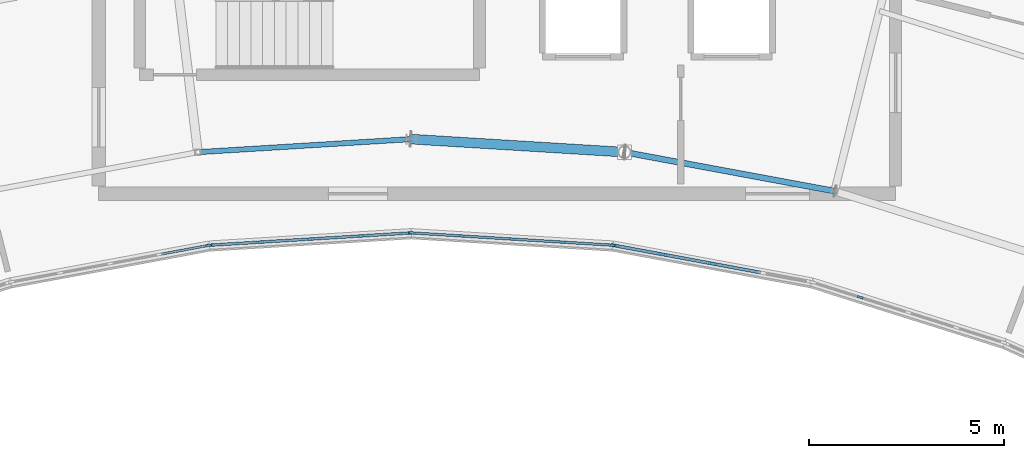
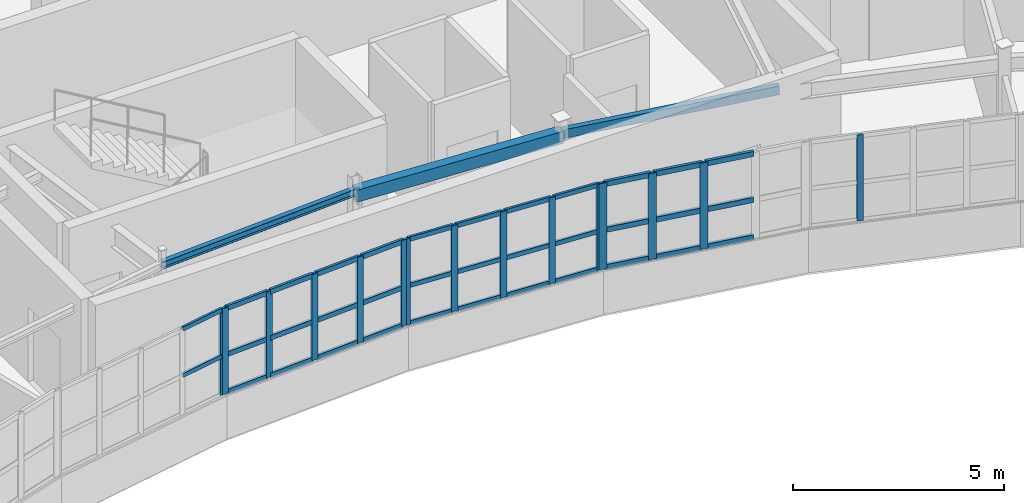
# One storey, part 37 of 79: 50 members, 3 beams, 5 elements without a shape of their own.
"""IFC4 building model written with IfcOpenShell, lengths in metres."""

from ifc_helpers import new_model, si_unit, direction, frame, origin, origin_2d, place, context, subcontext, project, spatial, rectangle, hollow_rectangle, i_section, extrude, material, layer, layer_set, material_profile, profile_set, type_object, element, aggregate, save


model = new_model("IFC4")

# Units and contexts
model_context = context("Model", 3, precision=1e-05, world=origin(), true_north=direction((0.0, 1.0)))
body_context = subcontext(model_context, "Body", "Model", "MODEL_VIEW")
ifc_project = project(units=[si_unit("LENGTHUNIT", "METRE"), si_unit("AREAUNIT", "SQUARE_METRE"), si_unit("VOLUMEUNIT", "CUBIC_METRE"), si_unit("PLANEANGLEUNIT", "RADIAN"), si_unit("MASSUNIT", "GRAM", prefix="KILO")], contexts=[model_context])

# Site, building, storey
site_placement = place(None, origin())
site = spatial("IfcSite", under=ifc_project, at=site_placement, CompositionType="ELEMENT")
building_placement = place(site_placement, origin())
building = spatial("IfcBuilding", under=site, at=building_placement, Name="Tarnwether General Hospital", CompositionType="ELEMENT")
storey_placement = place(building_placement, frame((0.0, 0.0, 18.300048828125)))
storey = spatial("IfcBuildingStorey", under=building, at=storey_placement, Name="L04", CompositionType="ELEMENT", Elevation=18.300048828125)

# Beams
ifc_material_1 = material(Name="Steel Grade 350 (350 MPa)", Category="steel")
ifc_material_profile_1 = material_profile(ifc_material_1, i_section(OverallWidth=0.133056640625, OverallDepth=0.201904296875, WebThickness=0.0048828125, FlangeThickness=0.007080078125, at=origin_2d()), Name="200UB22.3")
ifc_profile_set_1 = profile_set([ifc_material_profile_1], Name="Steel Grade 350 (350 MPa)")
beam_type_1 = type_object("IfcBeamType", Name="BM-SP6", PredefinedType="SPANDREL", material=ifc_profile_set_1)
beam_1_placement = place(storey_placement, frame((86.5400390625, 107.466064453125, 3.458984375), z_axis=(0.998134365538, 0.061055616708, 0.0), x_axis=(-0.061055616708, 0.998134365538, 0.0)))
element("IfcBeam", 1, at=beam_1_placement, inside=storey, type_object=beam_type_1, Name="Curved Ward NW Inner Spandrel BMG-L04-8654_10747-9200_10780-1968", PredefinedType="SPANDREL", context=body_context, shape_type="SweptSolid", body=[
    extrude(i_section(OverallWidth=0.133056640625, OverallDepth=0.201904296875, WebThickness=0.0048828125, FlangeThickness=0.007080078125, at=origin_2d()), origin(), (0.0, 0.0, 1.0), 5.47021484375),
])
ifc_material_2 = material(Name="Steel Grade C350L0 (350 MPa)", Category="steel")
ifc_material_profile_2 = material_profile(ifc_material_2, hollow_rectangle(XDim=0.25, YDim=0.35009765625, WallThickness=0.012451171875, at=origin_2d()), Name="RHS350x250x12.5")
ifc_profile_set_2 = profile_set([ifc_material_profile_2], Name="Steel Grade C350L0 (350 MPa)")
beam_type_2 = type_object("IfcBeamType", Name="BM-SP7", PredefinedType="SPANDREL", material=ifc_profile_set_2)
beam_2_placement = place(storey_placement, frame((92.0, 107.800048828125, 3.385009765625), z_axis=(0.998134365538, -0.061055616708, 0.0), x_axis=(0.061055616708, 0.998134365538, 0.0)))
element("IfcBeam", 2, at=beam_2_placement, inside=storey, type_object=beam_type_2, Name="Curved Ward NW Inner Spandrel BMG-L04-9200_10780-9746_10747-1970", PredefinedType="SPANDREL", context=body_context, shape_type="SweptSolid", body=[
    extrude(hollow_rectangle(XDim=0.25, YDim=0.35009765625, WallThickness=0.012451171875, at=origin_2d()), origin(), (0.0, 0.0, 1.0), 5.47021484375),
])
ifc_material_3 = material(Name="Steel Grade C350L0 (350 MPa)", Category="steel")
ifc_material_profile_3 = material_profile(ifc_material_3, hollow_rectangle(XDim=0.14990234375, YDim=0.25, WallThickness=0.008056640625, at=origin_2d()), Name="RHS250x150x8")
ifc_profile_set_3 = profile_set([ifc_material_profile_3], Name="Steel Grade C350L0 (350 MPa)")
beam_type_3 = type_object("IfcBeamType", Name="BM-SP8", PredefinedType="SPANDREL", material=ifc_profile_set_3)
beam_3_placement = place(storey_placement, frame((97.4599609375, 107.466064453125, 3.43505859375), z_axis=(0.983244096291, -0.18229384825, 0.0), x_axis=(0.18229384825, 0.983244096291, 0.0)))
element("IfcBeam", 3, at=beam_3_placement, inside=storey, type_object=beam_type_3, Name="Curved Ward NW Inner Spandrel BMG-L04-9746_10747-10284_10647-1972", PredefinedType="SPANDREL", context=body_context, shape_type="SweptSolid", body=[
    extrude(hollow_rectangle(XDim=0.14990234375, YDim=0.25, WallThickness=0.008056640625, at=origin_2d()), origin(), (0.0, 0.0, 1.0), 5.469482421875),
])

# Curtain wall, member
ifc_material_4 = material(Name="Anodised aluminium", Category="aluminium")
ifc_layer = layer(ifc_material_4, 0.159912109375)
ifc_layer_set = layer_set([ifc_layer], Name="Anodised aluminium")
curtain_wall_type = type_object("IfcCurtainWallType", Name="CW-04", PredefinedType="NOTDEFINED", material=ifc_layer_set)
curtain_wall_1_placement = place(storey_placement, origin())
curtain_wall_1 = element("IfcCurtainWall", 4, at=curtain_wall_1_placement, inside=storey, type_object=curtain_wall_type, Name="Curtain Wall CWG-L04-868_1051-0041", PredefinedType="NOTDEFINED")
ifc_material_5 = material(Name="Anodised aluminium", Category="aluminium")
ifc_material_profile_4 = material_profile(ifc_material_5, rectangle(XDim=0.06005859375, YDim=0.159912109375, at=origin_2d()), Name="ALU-MUL-60x160")
ifc_profile_set_4 = profile_set([ifc_material_profile_4], Name="Anodised aluminium")
member_type_1 = type_object("IfcMemberType", Name="CW-ML1", PredefinedType="MULLION", material=ifc_profile_set_4)
member_1_placement = place(storey_placement, frame((86.803466796875, 105.07861328125, 1.050048828125), z_axis=(0.0, 0.0, 1.0), x_axis=(0.182165351666, -0.983267910924, 0.0)))
member_1 = element("IfcMember", 5, at=member_1_placement, type_object=member_type_1, Name="CW-04 mullion 1", PredefinedType="MULLION", context=body_context, shape_type="SweptSolid", body=[
    extrude(rectangle(XDim=0.06005859375, YDim=0.159912109375, at=origin_2d()), origin(), (0.0, 0.0, 1.0), 2.489990234375),
])

curtain_wall_2_placement = place(storey_placement, origin())
curtain_wall_2 = element("IfcCurtainWall", 6, at=curtain_wall_2_placement, inside=storey, type_object=curtain_wall_type, Name="Curtain Wall CWG-L04-1072_1026-0045", PredefinedType="NOTDEFINED")
member_2_placement = place(storey_placement, frame((103.491455078125, 103.751708984375, 1.050048828125), z_axis=(0.0, 0.0, 1.0), x_axis=(-0.30071538783, -0.953713927508, 0.0)))
member_2 = element("IfcMember", 7, at=member_2_placement, type_object=member_type_1, Name="CW-04 mullion 4", PredefinedType="MULLION", context=body_context, shape_type="SweptSolid", body=[
    extrude(rectangle(XDim=0.06005859375, YDim=0.159912109375, at=origin_2d()), origin(), (0.0, 0.0, 1.0), 2.489990234375),
])
aggregate(curtain_wall_2, [member_2])

# Curtain wall, members
curtain_wall_3_placement = place(storey_placement, origin())
curtain_wall_3 = element("IfcCurtainWall", 8, at=curtain_wall_3_placement, inside=storey, type_object=curtain_wall_type, Name="Curtain Wall CWG-L04-920_1054-0042", PredefinedType="NOTDEFINED")
ifc_material_6 = material(Name="Anodised aluminium", Category="aluminium")
ifc_material_profile_5 = material_profile(ifc_material_6, rectangle(XDim=0.070068359375, YDim=0.179931640625, at=origin_2d()), Name="ALU-MUL-70x180")
ifc_profile_set_5 = profile_set([ifc_material_profile_5], Name="Anodised aluminium")
member_type_2 = type_object("IfcMemberType", Name="CW-ML2", PredefinedType="MULLION", material=ifc_profile_set_5)
member_3_placement = place(storey_placement, frame((91.965087890625, 105.39794921875, 1.050048828125), z_axis=(0.0, 0.0, 1.0), x_axis=(0.06104329354, -0.998135119267, 0.0)))
member_3 = element("IfcMember", 9, at=member_3_placement, type_object=member_type_2, Name="CW-04 mullion 1", PredefinedType="MULLION", context=body_context, shape_type="SweptSolid", body=[
    extrude(rectangle(XDim=0.070068359375, YDim=0.179931640625, at=origin_2d()), origin(), (0.0, 0.0, 1.0), 2.489990234375),
])
member_4_placement = place(storey_placement, frame((90.708251953125, 105.321044921875, 1.050048828125), z_axis=(0.0, 0.0, 1.0), x_axis=(0.06104329354, -0.998135119267, 0.0)))
member_4 = element("IfcMember", 10, at=member_4_placement, type_object=member_type_2, Name="CW-04 mullion 2", PredefinedType="MULLION", context=body_context, shape_type="SweptSolid", body=[
    extrude(rectangle(XDim=0.070068359375, YDim=0.179931640625, at=origin_2d()), origin(), (0.0, 0.0, 1.0), 2.489990234375),
])
member_5_placement = place(storey_placement, frame((89.41650390625, 105.241943359375, 1.050048828125), z_axis=(0.0, 0.0, 1.0), x_axis=(0.06104329354, -0.998135119267, 0.0)))
member_5 = element("IfcMember", 11, at=member_5_placement, type_object=member_type_2, Name="CW-04 mullion 3", PredefinedType="MULLION", context=body_context, shape_type="SweptSolid", body=[
    extrude(rectangle(XDim=0.070068359375, YDim=0.179931640625, at=origin_2d()), origin(), (0.0, 0.0, 1.0), 2.489990234375),
])
member_6_placement = place(storey_placement, frame((88.124755859375, 105.1630859375, 1.050048828125), z_axis=(0.0, 0.0, 1.0), x_axis=(0.06104329354, -0.998135119267, 0.0)))
member_6 = element("IfcMember", 12, at=member_6_placement, type_object=member_type_2, Name="CW-04 mullion 4", PredefinedType="MULLION", context=body_context, shape_type="SweptSolid", body=[
    extrude(rectangle(XDim=0.070068359375, YDim=0.179931640625, at=origin_2d()), origin(), (0.0, 0.0, 1.0), 2.489990234375),
])
member_7_placement = place(storey_placement, frame((86.867919921875, 105.086181640625, 1.050048828125), z_axis=(0.0, 0.0, 1.0), x_axis=(0.06104329354, -0.998135119267, 0.0)))
member_7 = element("IfcMember", 13, at=member_7_placement, type_object=member_type_2, Name="CW-04 mullion 5", PredefinedType="MULLION", context=body_context, shape_type="SweptSolid", body=[
    extrude(rectangle(XDim=0.070068359375, YDim=0.179931640625, at=origin_2d()), origin(), (0.0, 0.0, 1.0), 2.489990234375),
])

curtain_wall_4_placement = place(storey_placement, origin())
curtain_wall_4 = element("IfcCurtainWall", 14, at=curtain_wall_4_placement, inside=storey, type_object=curtain_wall_type, Name="Curtain Wall CWG-L04-972_1051-0043", PredefinedType="NOTDEFINED")
ifc_material_7 = material(Name="Anodised aluminium", Category="aluminium")
ifc_material_profile_6 = material_profile(ifc_material_7, rectangle(XDim=0.06494140625, YDim=0.169921875, at=origin_2d()), Name="ALU-MUL-65x170")
ifc_profile_set_6 = profile_set([ifc_material_profile_6], Name="Anodised aluminium")
member_type_3 = type_object("IfcMemberType", Name="CW-ML3", PredefinedType="MULLION", material=ifc_profile_set_6)
member_8_placement = place(storey_placement, frame((97.134521484375, 105.0859375, 1.050048828125), z_axis=(0.0, 0.0, 1.0), x_axis=(-0.06104329354, -0.998135119267, 0.0)))
member_8 = element("IfcMember", 15, at=member_8_placement, type_object=member_type_3, Name="CW-04 mullion 1", PredefinedType="MULLION", context=body_context, shape_type="SweptSolid", body=[
    extrude(rectangle(XDim=0.06494140625, YDim=0.169921875, at=origin_2d()), origin(), (0.0, 0.0, 1.0), 2.489990234375),
])
member_9_placement = place(storey_placement, frame((95.875244140625, 105.1630859375, 1.050048828125), z_axis=(0.0, 0.0, 1.0), x_axis=(-0.06104329354, -0.998135119267, 0.0)))
member_9 = element("IfcMember", 16, at=member_9_placement, type_object=member_type_3, Name="CW-04 mullion 2", PredefinedType="MULLION", context=body_context, shape_type="SweptSolid", body=[
    extrude(rectangle(XDim=0.06494140625, YDim=0.169921875, at=origin_2d()), origin(), (0.0, 0.0, 1.0), 2.489990234375),
])
member_10_placement = place(storey_placement, frame((94.58349609375, 105.241943359375, 1.050048828125), z_axis=(0.0, 0.0, 1.0), x_axis=(-0.06104329354, -0.998135119267, 0.0)))
member_10 = element("IfcMember", 17, at=member_10_placement, type_object=member_type_3, Name="CW-04 mullion 3", PredefinedType="MULLION", context=body_context, shape_type="SweptSolid", body=[
    extrude(rectangle(XDim=0.06494140625, YDim=0.169921875, at=origin_2d()), origin(), (0.0, 0.0, 1.0), 2.489990234375),
])
member_11_placement = place(storey_placement, frame((93.291748046875, 105.321044921875, 1.050048828125), z_axis=(0.0, 0.0, 1.0), x_axis=(-0.06104329354, -0.998135119267, 0.0)))
member_11 = element("IfcMember", 18, at=member_11_placement, type_object=member_type_3, Name="CW-04 mullion 4", PredefinedType="MULLION", context=body_context, shape_type="SweptSolid", body=[
    extrude(rectangle(XDim=0.06494140625, YDim=0.169921875, at=origin_2d()), origin(), (0.0, 0.0, 1.0), 2.489990234375),
])
member_12_placement = place(storey_placement, frame((92.032470703125, 105.39794921875, 1.050048828125), z_axis=(0.0, 0.0, 1.0), x_axis=(-0.06104329354, -0.998135119267, 0.0)))
member_12 = element("IfcMember", 19, at=member_12_placement, type_object=member_type_3, Name="CW-04 mullion 5", PredefinedType="MULLION", context=body_context, shape_type="SweptSolid", body=[
    extrude(rectangle(XDim=0.06494140625, YDim=0.169921875, at=origin_2d()), origin(), (0.0, 0.0, 1.0), 2.489990234375),
])

curtain_wall_5_placement = place(storey_placement, origin())
curtain_wall_5 = element("IfcCurtainWall", 20, at=curtain_wall_5_placement, inside=storey, type_object=curtain_wall_type, Name="Curtain Wall CWG-L04-1023_1041-0044", PredefinedType="NOTDEFINED")
ifc_material_8 = material(Name="Anodised aluminium", Category="aluminium")
ifc_material_profile_7 = material_profile(ifc_material_8, rectangle(XDim=0.080078125, YDim=0.199951171875, at=origin_2d()), Name="ALU-MUL-80x200")
ifc_profile_set_7 = profile_set([ifc_material_profile_7], Name="Anodised aluminium")
member_type_4 = type_object("IfcMemberType", Name="CW-ML4", PredefinedType="MULLION", material=ifc_profile_set_7)
member_13_placement = place(storey_placement, frame((99.7119140625, 104.612548828125, 1.050048828125), z_axis=(0.0, 0.0, 1.0), x_axis=(-0.182165351666, -0.983267910924, 0.0)))
member_13 = element("IfcMember", 21, at=member_13_placement, type_object=member_type_4, Name="CW-04 mullion 3", PredefinedType="MULLION", context=body_context, shape_type="SweptSolid", body=[
    extrude(rectangle(XDim=0.080078125, YDim=0.199951171875, at=origin_2d()), origin(), (0.0, 0.0, 1.0), 2.489990234375),
])
member_14_placement = place(storey_placement, frame((98.439453125, 104.84814453125, 1.050048828125), z_axis=(0.0, 0.0, 1.0), x_axis=(-0.182165351666, -0.983267910924, 0.0)))
member_14 = element("IfcMember", 22, at=member_14_placement, type_object=member_type_4, Name="CW-04 mullion 4", PredefinedType="MULLION", context=body_context, shape_type="SweptSolid", body=[
    extrude(rectangle(XDim=0.080078125, YDim=0.199951171875, at=origin_2d()), origin(), (0.0, 0.0, 1.0), 2.489990234375),
])
member_15_placement = place(storey_placement, frame((97.206298828125, 105.07666015625, 1.050048828125), z_axis=(0.0, 0.0, 1.0), x_axis=(-0.182165351666, -0.983267910924, 0.0)))
member_15 = element("IfcMember", 23, at=member_15_placement, type_object=member_type_4, Name="CW-04 mullion 5", PredefinedType="MULLION", context=body_context, shape_type="SweptSolid", body=[
    extrude(rectangle(XDim=0.080078125, YDim=0.199951171875, at=origin_2d()), origin(), (0.0, 0.0, 1.0), 2.489990234375),
])

# Member
ifc_material_9 = material(Name="Anodised aluminium", Category="aluminium")
ifc_material_profile_8 = material_profile(ifc_material_9, rectangle(XDim=0.06005859375, YDim=0.1201171875, at=origin_2d()), Name="ALU-TRN-60x120")
ifc_profile_set_8 = profile_set([ifc_material_profile_8], Name="Anodised aluminium")
member_type_5 = type_object("IfcMemberType", Name="CW-TR1", PredefinedType="USERDEFINED", material=ifc_profile_set_8)
member_16_placement = place(storey_placement, frame((86.77392578125, 105.072998046875, 2.17041015625), z_axis=(-0.983280660262, -0.182096521533, 0.0), x_axis=(0.182096521533, -0.983280660262, 0.0)))
member_16 = element("IfcMember", 24, at=member_16_placement, type_object=member_type_5, Name="CW-04 transom 1.2", ObjectType="TRANSOM", PredefinedType="USERDEFINED", context=body_context, shape_type="SweptSolid", body=[
    extrude(rectangle(XDim=0.06005859375, YDim=0.1201171875, at=origin_2d()), origin(), (0.0, 0.0, 1.0), 1.203857421875),
])

member_17_placement = place(storey_placement, frame((86.77392578125, 105.072998046875, 3.510009765625), z_axis=(-0.983280660262, -0.182096521533, 0.0), x_axis=(0.182096521533, -0.983280660262, 0.0)))
member_17 = element("IfcMember", 25, at=member_17_placement, type_object=member_type_5, Name="CW-04 transom 1.3", ObjectType="TRANSOM", PredefinedType="USERDEFINED", context=body_context, shape_type="SweptSolid", body=[
    extrude(rectangle(XDim=0.06005859375, YDim=0.1201171875, at=origin_2d()), origin(), (0.0, 0.0, 1.0), 1.203857421875),
])

aggregate(curtain_wall_1, [member_1, member_16, member_17])

ifc_material_10 = material(Name="Anodised aluminium", Category="aluminium")
ifc_material_profile_9 = material_profile(ifc_material_10, rectangle(XDim=0.070068359375, YDim=0.139892578125, at=origin_2d()), Name="ALU-TRN-70x140")
ifc_profile_set_9 = profile_set([ifc_material_profile_9], Name="Anodised aluminium")
member_type_6 = type_object("IfcMemberType", Name="CW-TR2", PredefinedType="USERDEFINED", material=ifc_profile_set_9)
member_18_placement = place(storey_placement, frame((91.93017578125, 105.395751953125, 1.0849609375), z_axis=(-0.9981394573, -0.06097231979, 0.0), x_axis=(0.06097231979, -0.9981394573, 0.0)))
member_18 = element("IfcMember", 26, at=member_18_placement, type_object=member_type_6, Name="CW-04 transom 1.1", ObjectType="TRANSOM", PredefinedType="USERDEFINED", context=body_context, shape_type="SweptSolid", body=[
    extrude(rectangle(XDim=0.070068359375, YDim=0.139892578125, at=origin_2d()), origin(), (0.0, 0.0, 1.0), 1.189208984375),
])

member_19_placement = place(storey_placement, frame((91.93017578125, 105.395751953125, 2.17041015625), z_axis=(-0.9981394573, -0.06097231979, 0.0), x_axis=(0.06097231979, -0.9981394573, 0.0)))
member_19 = element("IfcMember", 27, at=member_19_placement, type_object=member_type_6, Name="CW-04 transom 1.2", ObjectType="TRANSOM", PredefinedType="USERDEFINED", context=body_context, shape_type="SweptSolid", body=[
    extrude(rectangle(XDim=0.070068359375, YDim=0.139892578125, at=origin_2d()), origin(), (0.0, 0.0, 1.0), 1.189208984375),
])

member_20_placement = place(storey_placement, frame((91.93017578125, 105.395751953125, 3.5048828125), z_axis=(-0.9981394573, -0.06097231979, 0.0), x_axis=(0.06097231979, -0.9981394573, 0.0)))
member_20 = element("IfcMember", 28, at=member_20_placement, type_object=member_type_6, Name="CW-04 transom 1.3", ObjectType="TRANSOM", PredefinedType="USERDEFINED", context=body_context, shape_type="SweptSolid", body=[
    extrude(rectangle(XDim=0.070068359375, YDim=0.139892578125, at=origin_2d()), origin(), (0.0, 0.0, 1.0), 1.189208984375),
])

member_21_placement = place(storey_placement, frame((90.67333984375, 105.31884765625, 1.0849609375), z_axis=(-0.998136243192, -0.06102491317, 0.0), x_axis=(0.06102491317, -0.998136243192, 0.0)))
member_21 = element("IfcMember", 29, at=member_21_placement, type_object=member_type_6, Name="CW-04 transom 2.1", ObjectType="TRANSOM", PredefinedType="USERDEFINED", context=body_context, shape_type="SweptSolid", body=[
    extrude(rectangle(XDim=0.070068359375, YDim=0.139892578125, at=origin_2d()), origin(), (0.0, 0.0, 1.0), 1.22412109375),
])

member_22_placement = place(storey_placement, frame((90.67333984375, 105.31884765625, 2.17041015625), z_axis=(-0.998136243192, -0.06102491317, 0.0), x_axis=(0.06102491317, -0.998136243192, 0.0)))
member_22 = element("IfcMember", 30, at=member_22_placement, type_object=member_type_6, Name="CW-04 transom 2.2", ObjectType="TRANSOM", PredefinedType="USERDEFINED", context=body_context, shape_type="SweptSolid", body=[
    extrude(rectangle(XDim=0.070068359375, YDim=0.139892578125, at=origin_2d()), origin(), (0.0, 0.0, 1.0), 1.22412109375),
])

member_23_placement = place(storey_placement, frame((90.67333984375, 105.31884765625, 3.5048828125), z_axis=(-0.998136243192, -0.06102491317, 0.0), x_axis=(0.06102491317, -0.998136243192, 0.0)))
member_23 = element("IfcMember", 31, at=member_23_placement, type_object=member_type_6, Name="CW-04 transom 2.3", ObjectType="TRANSOM", PredefinedType="USERDEFINED", context=body_context, shape_type="SweptSolid", body=[
    extrude(rectangle(XDim=0.070068359375, YDim=0.139892578125, at=origin_2d()), origin(), (0.0, 0.0, 1.0), 1.22412109375),
])

member_24_placement = place(storey_placement, frame((89.381591796875, 105.23974609375, 1.0849609375), z_axis=(-0.998136243192, -0.06102491317, 0.0), x_axis=(0.06102491317, -0.998136243192, 0.0)))
member_24 = element("IfcMember", 32, at=member_24_placement, type_object=member_type_6, Name="CW-04 transom 3.1", ObjectType="TRANSOM", PredefinedType="USERDEFINED", context=body_context, shape_type="SweptSolid", body=[
    extrude(rectangle(XDim=0.070068359375, YDim=0.139892578125, at=origin_2d()), origin(), (0.0, 0.0, 1.0), 1.22412109375),
])

member_25_placement = place(storey_placement, frame((89.381591796875, 105.23974609375, 2.17041015625), z_axis=(-0.998136243192, -0.06102491317, 0.0), x_axis=(0.06102491317, -0.998136243192, 0.0)))
member_25 = element("IfcMember", 33, at=member_25_placement, type_object=member_type_6, Name="CW-04 transom 3.2", ObjectType="TRANSOM", PredefinedType="USERDEFINED", context=body_context, shape_type="SweptSolid", body=[
    extrude(rectangle(XDim=0.070068359375, YDim=0.139892578125, at=origin_2d()), origin(), (0.0, 0.0, 1.0), 1.22412109375),
])

member_26_placement = place(storey_placement, frame((89.381591796875, 105.23974609375, 3.5048828125), z_axis=(-0.998136243192, -0.06102491317, 0.0), x_axis=(0.06102491317, -0.998136243192, 0.0)))
member_26 = element("IfcMember", 34, at=member_26_placement, type_object=member_type_6, Name="CW-04 transom 3.3", ObjectType="TRANSOM", PredefinedType="USERDEFINED", context=body_context, shape_type="SweptSolid", body=[
    extrude(rectangle(XDim=0.070068359375, YDim=0.139892578125, at=origin_2d()), origin(), (0.0, 0.0, 1.0), 1.22412109375),
])

member_27_placement = place(storey_placement, frame((88.08984375, 105.160888671875, 1.0849609375), z_axis=(-0.9981394573, -0.06097231979, 0.0), x_axis=(0.06097231979, -0.9981394573, 0.0)))
member_27 = element("IfcMember", 35, at=member_27_placement, type_object=member_type_6, Name="CW-04 transom 4.1", ObjectType="TRANSOM", PredefinedType="USERDEFINED", context=body_context, shape_type="SweptSolid", body=[
    extrude(rectangle(XDim=0.070068359375, YDim=0.139892578125, at=origin_2d()), origin(), (0.0, 0.0, 1.0), 1.189208984375),
])

member_28_placement = place(storey_placement, frame((88.08984375, 105.160888671875, 2.17041015625), z_axis=(-0.9981394573, -0.06097231979, 0.0), x_axis=(0.06097231979, -0.9981394573, 0.0)))
member_28 = element("IfcMember", 36, at=member_28_placement, type_object=member_type_6, Name="CW-04 transom 4.2", ObjectType="TRANSOM", PredefinedType="USERDEFINED", context=body_context, shape_type="SweptSolid", body=[
    extrude(rectangle(XDim=0.070068359375, YDim=0.139892578125, at=origin_2d()), origin(), (0.0, 0.0, 1.0), 1.189208984375),
])

member_29_placement = place(storey_placement, frame((88.08984375, 105.160888671875, 3.5048828125), z_axis=(-0.9981394573, -0.06097231979, 0.0), x_axis=(0.06097231979, -0.9981394573, 0.0)))
member_29 = element("IfcMember", 37, at=member_29_placement, type_object=member_type_6, Name="CW-04 transom 4.3", ObjectType="TRANSOM", PredefinedType="USERDEFINED", context=body_context, shape_type="SweptSolid", body=[
    extrude(rectangle(XDim=0.070068359375, YDim=0.139892578125, at=origin_2d()), origin(), (0.0, 0.0, 1.0), 1.189208984375),
])

aggregate(curtain_wall_3, [member_3, member_4, member_5, member_6, member_7, member_18, member_19, member_20, member_21, member_22, member_23, member_24, member_25, member_26, member_27, member_28, member_29])

ifc_material_11 = material(Name="Anodised aluminium", Category="aluminium")
ifc_material_profile_10 = material_profile(ifc_material_11, rectangle(XDim=0.06494140625, YDim=0.1298828125, at=origin_2d()), Name="ALU-TRN-65x130")
ifc_profile_set_10 = profile_set([ifc_material_profile_10], Name="Anodised aluminium")
member_type_7 = type_object("IfcMemberType", Name="CW-TR3", PredefinedType="USERDEFINED", material=ifc_profile_set_10)
member_30_placement = place(storey_placement, frame((97.10205078125, 105.087890625, 1.08251953125), z_axis=(-0.998124933036, 0.061209623857, 0.0), x_axis=(-0.061209623857, -0.998124933036, 0.0)))
member_30 = element("IfcMember", 38, at=member_30_placement, type_object=member_type_7, Name="CW-04 transom 1.1", ObjectType="TRANSOM", PredefinedType="USERDEFINED", context=body_context, shape_type="SweptSolid", body=[
    extrude(rectangle(XDim=0.06494140625, YDim=0.1298828125, at=origin_2d()), origin(), (0.0, 0.0, 1.0), 1.196533203125),
])

member_31_placement = place(storey_placement, frame((97.10205078125, 105.087890625, 2.17041015625), z_axis=(-0.998124933036, 0.061209623857, 0.0), x_axis=(-0.061209623857, -0.998124933036, 0.0)))
member_31 = element("IfcMember", 39, at=member_31_placement, type_object=member_type_7, Name="CW-04 transom 1.2", ObjectType="TRANSOM", PredefinedType="USERDEFINED", context=body_context, shape_type="SweptSolid", body=[
    extrude(rectangle(XDim=0.06494140625, YDim=0.1298828125, at=origin_2d()), origin(), (0.0, 0.0, 1.0), 1.196533203125),
])

member_32_placement = place(storey_placement, frame((97.10205078125, 105.087890625, 3.507568359375), z_axis=(-0.998124933036, 0.061209623857, 0.0), x_axis=(-0.061209623857, -0.998124933036, 0.0)))
member_32 = element("IfcMember", 40, at=member_32_placement, type_object=member_type_7, Name="CW-04 transom 1.3", ObjectType="TRANSOM", PredefinedType="USERDEFINED", context=body_context, shape_type="SweptSolid", body=[
    extrude(rectangle(XDim=0.06494140625, YDim=0.1298828125, at=origin_2d()), origin(), (0.0, 0.0, 1.0), 1.196533203125),
])

member_33_placement = place(storey_placement, frame((95.8427734375, 105.1650390625, 1.08251953125), z_axis=(-0.998138937615, 0.060980826636, 0.0), x_axis=(-0.060980826636, -0.998138937615, 0.0)))
member_33 = element("IfcMember", 41, at=member_33_placement, type_object=member_type_7, Name="CW-04 transom 2.1", ObjectType="TRANSOM", PredefinedType="USERDEFINED", context=body_context, shape_type="SweptSolid", body=[
    extrude(rectangle(XDim=0.06494140625, YDim=0.1298828125, at=origin_2d()), origin(), (0.0, 0.0, 1.0), 1.22900390625),
])

member_34_placement = place(storey_placement, frame((95.8427734375, 105.1650390625, 2.17041015625), z_axis=(-0.998138937615, 0.060980826636, 0.0), x_axis=(-0.060980826636, -0.998138937615, 0.0)))
member_34 = element("IfcMember", 42, at=member_34_placement, type_object=member_type_7, Name="CW-04 transom 2.2", ObjectType="TRANSOM", PredefinedType="USERDEFINED", context=body_context, shape_type="SweptSolid", body=[
    extrude(rectangle(XDim=0.06494140625, YDim=0.1298828125, at=origin_2d()), origin(), (0.0, 0.0, 1.0), 1.22900390625),
])

member_35_placement = place(storey_placement, frame((95.8427734375, 105.1650390625, 3.507568359375), z_axis=(-0.998138937615, 0.060980826636, 0.0), x_axis=(-0.060980826636, -0.998138937615, 0.0)))
member_35 = element("IfcMember", 43, at=member_35_placement, type_object=member_type_7, Name="CW-04 transom 2.3", ObjectType="TRANSOM", PredefinedType="USERDEFINED", context=body_context, shape_type="SweptSolid", body=[
    extrude(rectangle(XDim=0.06494140625, YDim=0.1298828125, at=origin_2d()), origin(), (0.0, 0.0, 1.0), 1.22900390625),
])

member_36_placement = place(storey_placement, frame((94.551025390625, 105.243896484375, 1.08251953125), z_axis=(-0.998126827784, 0.061178718997, 0.0), x_axis=(-0.061178718997, -0.998126827784, 0.0)))
member_36 = element("IfcMember", 44, at=member_36_placement, type_object=member_type_7, Name="CW-04 transom 3.1", ObjectType="TRANSOM", PredefinedType="USERDEFINED", context=body_context, shape_type="SweptSolid", body=[
    extrude(rectangle(XDim=0.06494140625, YDim=0.1298828125, at=origin_2d()), origin(), (0.0, 0.0, 1.0), 1.22900390625),
])

member_37_placement = place(storey_placement, frame((94.551025390625, 105.243896484375, 2.17041015625), z_axis=(-0.998126827784, 0.061178718997, 0.0), x_axis=(-0.061178718997, -0.998126827784, 0.0)))
member_37 = element("IfcMember", 45, at=member_37_placement, type_object=member_type_7, Name="CW-04 transom 3.2", ObjectType="TRANSOM", PredefinedType="USERDEFINED", context=body_context, shape_type="SweptSolid", body=[
    extrude(rectangle(XDim=0.06494140625, YDim=0.1298828125, at=origin_2d()), origin(), (0.0, 0.0, 1.0), 1.22900390625),
])

member_38_placement = place(storey_placement, frame((94.551025390625, 105.243896484375, 3.507568359375), z_axis=(-0.998126827784, 0.061178718997, 0.0), x_axis=(-0.061178718997, -0.998126827784, 0.0)))
member_38 = element("IfcMember", 46, at=member_38_placement, type_object=member_type_7, Name="CW-04 transom 3.3", ObjectType="TRANSOM", PredefinedType="USERDEFINED", context=body_context, shape_type="SweptSolid", body=[
    extrude(rectangle(XDim=0.06494140625, YDim=0.1298828125, at=origin_2d()), origin(), (0.0, 0.0, 1.0), 1.22900390625),
])

member_39_placement = place(storey_placement, frame((93.25927734375, 105.322998046875, 1.08251953125), z_axis=(-0.998137377802, 0.061006352405, 0.0), x_axis=(-0.061006352405, -0.998137377802, 0.0)))
member_39 = element("IfcMember", 47, at=member_39_placement, type_object=member_type_7, Name="CW-04 transom 4.1", ObjectType="TRANSOM", PredefinedType="USERDEFINED", context=body_context, shape_type="SweptSolid", body=[
    extrude(rectangle(XDim=0.06494140625, YDim=0.1298828125, at=origin_2d()), origin(), (0.0, 0.0, 1.0), 1.196533203125),
])

member_40_placement = place(storey_placement, frame((93.25927734375, 105.322998046875, 2.17041015625), z_axis=(-0.998137377802, 0.061006352405, 0.0), x_axis=(-0.061006352405, -0.998137377802, 0.0)))
member_40 = element("IfcMember", 48, at=member_40_placement, type_object=member_type_7, Name="CW-04 transom 4.2", ObjectType="TRANSOM", PredefinedType="USERDEFINED", context=body_context, shape_type="SweptSolid", body=[
    extrude(rectangle(XDim=0.06494140625, YDim=0.1298828125, at=origin_2d()), origin(), (0.0, 0.0, 1.0), 1.196533203125),
])

member_41_placement = place(storey_placement, frame((93.25927734375, 105.322998046875, 3.507568359375), z_axis=(-0.998137377802, 0.061006352405, 0.0), x_axis=(-0.061006352405, -0.998137377802, 0.0)))
member_41 = element("IfcMember", 49, at=member_41_placement, type_object=member_type_7, Name="CW-04 transom 4.3", ObjectType="TRANSOM", PredefinedType="USERDEFINED", context=body_context, shape_type="SweptSolid", body=[
    extrude(rectangle(XDim=0.06494140625, YDim=0.1298828125, at=origin_2d()), origin(), (0.0, 0.0, 1.0), 1.196533203125),
])

aggregate(curtain_wall_4, [member_8, member_9, member_10, member_11, member_12, member_30, member_31, member_32, member_33, member_34, member_35, member_36, member_37, member_38, member_39, member_40, member_41])

ifc_material_12 = material(Name="Anodised aluminium", Category="aluminium")
ifc_material_profile_11 = material_profile(ifc_material_12, rectangle(XDim=0.080078125, YDim=0.14990234375, at=origin_2d()), Name="ALU-TRN-80x150")
ifc_profile_set_11 = profile_set([ifc_material_profile_11], Name="Anodised aluminium")
member_type_8 = type_object("IfcMemberType", Name="CW-TR4", PredefinedType="USERDEFINED", material=ifc_profile_set_11)
member_42_placement = place(storey_placement, frame((100.945068359375, 104.384033203125, 1.08984375), z_axis=(-0.983266000374, 0.182175663873, 0.0), x_axis=(-0.182175663873, -0.983266000374, 0.0)))
member_42 = element("IfcMember", 50, at=member_42_placement, type_object=member_type_8, Name="CW-04 transom 2.1", ObjectType="TRANSOM", PredefinedType="USERDEFINED", context=body_context, shape_type="SweptSolid", body=[
    extrude(rectangle(XDim=0.080078125, YDim=0.14990234375, at=origin_2d()), origin(), (0.0, 0.0, 1.0), 1.214111328125),
])

member_43_placement = place(storey_placement, frame((100.945068359375, 104.384033203125, 2.17041015625), z_axis=(-0.983266000374, 0.182175663873, 0.0), x_axis=(-0.182175663873, -0.983266000374, 0.0)))
member_43 = element("IfcMember", 51, at=member_43_placement, type_object=member_type_8, Name="CW-04 transom 2.2", ObjectType="TRANSOM", PredefinedType="USERDEFINED", context=body_context, shape_type="SweptSolid", body=[
    extrude(rectangle(XDim=0.080078125, YDim=0.14990234375, at=origin_2d()), origin(), (0.0, 0.0, 1.0), 1.214111328125),
])

member_44_placement = place(storey_placement, frame((100.945068359375, 104.384033203125, 3.5), z_axis=(-0.983266000374, 0.182175663873, 0.0), x_axis=(-0.182175663873, -0.983266000374, 0.0)))
member_44 = element("IfcMember", 52, at=member_44_placement, type_object=member_type_8, Name="CW-04 transom 2.3", ObjectType="TRANSOM", PredefinedType="USERDEFINED", context=body_context, shape_type="SweptSolid", body=[
    extrude(rectangle(XDim=0.080078125, YDim=0.14990234375, at=origin_2d()), origin(), (0.0, 0.0, 1.0), 1.214111328125),
])

member_45_placement = place(storey_placement, frame((99.672607421875, 104.619873046875, 1.08984375), z_axis=(-0.983266000374, 0.182175663873, 0.0), x_axis=(-0.182175663873, -0.983266000374, 0.0)))
member_45 = element("IfcMember", 53, at=member_45_placement, type_object=member_type_8, Name="CW-04 transom 3.1", ObjectType="TRANSOM", PredefinedType="USERDEFINED", context=body_context, shape_type="SweptSolid", body=[
    extrude(rectangle(XDim=0.080078125, YDim=0.14990234375, at=origin_2d()), origin(), (0.0, 0.0, 1.0), 1.214111328125),
])

member_46_placement = place(storey_placement, frame((99.672607421875, 104.619873046875, 2.17041015625), z_axis=(-0.983266000374, 0.182175663873, 0.0), x_axis=(-0.182175663873, -0.983266000374, 0.0)))
member_46 = element("IfcMember", 54, at=member_46_placement, type_object=member_type_8, Name="CW-04 transom 3.2", ObjectType="TRANSOM", PredefinedType="USERDEFINED", context=body_context, shape_type="SweptSolid", body=[
    extrude(rectangle(XDim=0.080078125, YDim=0.14990234375, at=origin_2d()), origin(), (0.0, 0.0, 1.0), 1.214111328125),
])

member_47_placement = place(storey_placement, frame((99.672607421875, 104.619873046875, 3.5), z_axis=(-0.983266000374, 0.182175663873, 0.0), x_axis=(-0.182175663873, -0.983266000374, 0.0)))
member_47 = element("IfcMember", 55, at=member_47_placement, type_object=member_type_8, Name="CW-04 transom 3.3", ObjectType="TRANSOM", PredefinedType="USERDEFINED", context=body_context, shape_type="SweptSolid", body=[
    extrude(rectangle(XDim=0.080078125, YDim=0.14990234375, at=origin_2d()), origin(), (0.0, 0.0, 1.0), 1.214111328125),
])

member_48_placement = place(storey_placement, frame((98.400146484375, 104.85546875, 1.08984375), z_axis=(-0.983272351961, 0.182141378794, 0.0), x_axis=(-0.182141378794, -0.983272351961, 0.0)))
member_48 = element("IfcMember", 56, at=member_48_placement, type_object=member_type_8, Name="CW-04 transom 4.1", ObjectType="TRANSOM", PredefinedType="USERDEFINED", context=body_context, shape_type="SweptSolid", body=[
    extrude(rectangle(XDim=0.080078125, YDim=0.14990234375, at=origin_2d()), origin(), (0.0, 0.0, 1.0), 1.174072265625),
])

member_49_placement = place(storey_placement, frame((98.400146484375, 104.85546875, 2.17041015625), z_axis=(-0.983272351961, 0.182141378794, 0.0), x_axis=(-0.182141378794, -0.983272351961, 0.0)))
member_49 = element("IfcMember", 57, at=member_49_placement, type_object=member_type_8, Name="CW-04 transom 4.2", ObjectType="TRANSOM", PredefinedType="USERDEFINED", context=body_context, shape_type="SweptSolid", body=[
    extrude(rectangle(XDim=0.080078125, YDim=0.14990234375, at=origin_2d()), origin(), (0.0, 0.0, 1.0), 1.174072265625),
])

member_50_placement = place(storey_placement, frame((98.400146484375, 104.85546875, 3.5), z_axis=(-0.983272351961, 0.182141378794, 0.0), x_axis=(-0.182141378794, -0.983272351961, 0.0)))
member_50 = element("IfcMember", 58, at=member_50_placement, type_object=member_type_8, Name="CW-04 transom 4.3", ObjectType="TRANSOM", PredefinedType="USERDEFINED", context=body_context, shape_type="SweptSolid", body=[
    extrude(rectangle(XDim=0.080078125, YDim=0.14990234375, at=origin_2d()), origin(), (0.0, 0.0, 1.0), 1.174072265625),
])

aggregate(curtain_wall_5, [member_13, member_14, member_15, member_42, member_43, member_44, member_45, member_46, member_47, member_48, member_49, member_50])

save(model, "model.ifc")
